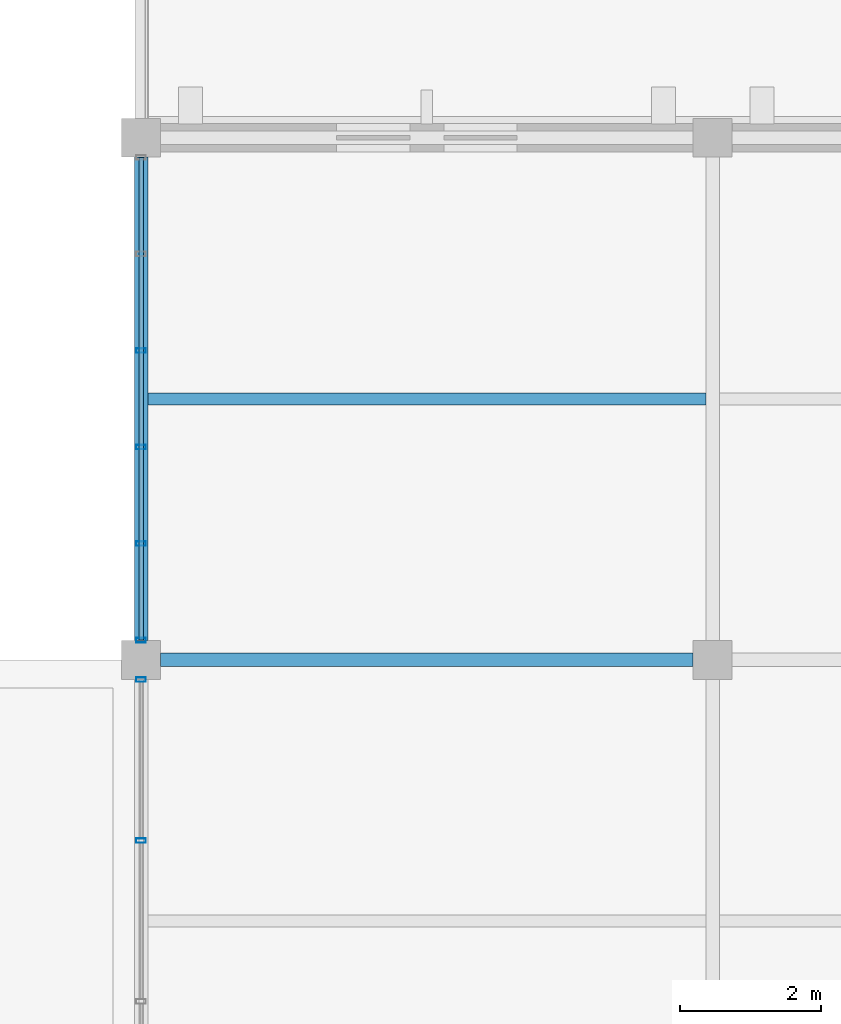
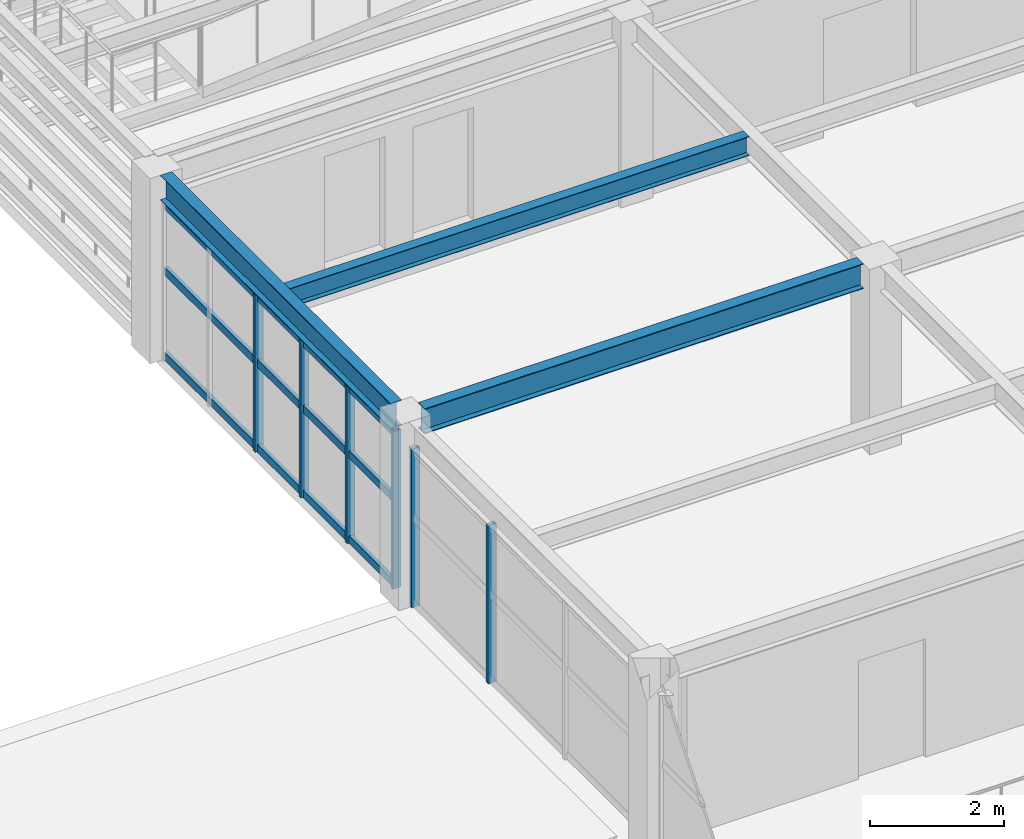
# One storey, part 85 of 121: 9 members, 3 beams, 2 elements without a shape of their own.
"""IFC4 building model written with IfcOpenShell, lengths in metres."""

from ifc_helpers import new_model, si_unit, direction, frame, origin, origin_2d, place, context, subcontext, project, spatial, hollow_rectangle, i_section, extrude, material, material_profile, profile_set, type_object, element, aggregate, save


model = new_model("IFC4")

# Units and contexts
model_context = context("Model", 3, precision=1e-05, world=origin(), true_north=direction((0.0, 1.0)))
body_context = subcontext(model_context, "Body", "Model", "MODEL_VIEW")
ifc_project = project(units=[si_unit("LENGTHUNIT", "METRE"), si_unit("AREAUNIT", "SQUARE_METRE"), si_unit("VOLUMEUNIT", "CUBIC_METRE"), si_unit("PLANEANGLEUNIT", "RADIAN"), si_unit("MASSUNIT", "GRAM", prefix="KILO")], contexts=[model_context])

# Site, building, storey
site_placement = place(None, origin())
site = spatial("IfcSite", under=ifc_project, at=site_placement, CompositionType="ELEMENT")
building_placement = place(site_placement, origin())
building = spatial("IfcBuilding", under=site, at=building_placement, Name="Cimatlan Art Gallery", CompositionType="ELEMENT")
storey_placement = place(building_placement, frame((0.0, 0.0, 10.199951171875)))
storey = spatial("IfcBuildingStorey", under=building, at=storey_placement, Name="L02", CompositionType="ELEMENT", Elevation=10.199951171875)

# Beams
ifc_material_1 = material(Name="Steel ASTM A992 Grade 50", Category="steel")
ifc_material_profile_1 = material_profile(ifc_material_1, i_section(OverallWidth=0.1708984375, OverallDepth=0.35107421875, WebThickness=0.0068359375, FlangeThickness=0.009765625, at=origin_2d()), Name="W14X30")
ifc_profile_set_1 = profile_set([ifc_material_profile_1], Name="Steel ASTM A992 Grade 50")
beam_type_1 = type_object("IfcBeamType", Name="BM-STL-W14X30", PredefinedType="JOIST", material=ifc_profile_set_1)
beam_1_placement = place(storey_placement, frame((147.8955078125, 64.60009765625, 3.194580078125), z_axis=(1.0, 0.0, 0.0), x_axis=(0.0, 1.0, 0.0)))
element("IfcBeam", 1, at=beam_1_placement, inside=storey, type_object=beam_type_1, Name="JST-L02-18-08", PredefinedType="JOIST", context=body_context, shape_type="SweptSolid", body=[
    extrude(i_section(OverallWidth=0.1708984375, OverallDepth=0.35107421875, WebThickness=0.0068359375, FlangeThickness=0.009765625, at=origin_2d()), origin(), (0.0, 0.0, 1.0), 7.908935546875),
])
ifc_material_profile_2 = material_profile(ifc_material_1, i_section(OverallWidth=0.19091796875, OverallDepth=0.45703125, WebThickness=0.009033203125, FlangeThickness=0.014404296875, at=origin_2d()), Name="W18X50")
ifc_profile_set_2 = profile_set([ifc_material_profile_2], Name="Steel ASTM A992 Grade 50")
beam_type_2 = type_object("IfcBeamType", Name="BM-STL-W18X50", PredefinedType="BEAM", material=ifc_profile_set_2)
beam_2_placement = place(storey_placement, frame((147.800048828125, 61.175048828125, 3.1416015625), z_axis=(0.0, 1.0, 0.0), x_axis=(-1.0, 0.0, 0.0)))
element("IfcBeam", 2, at=beam_2_placement, inside=storey, type_object=beam_type_2, Name="BM-Y-L02-18-08", PredefinedType="BEAM", context=body_context, shape_type="SweptSolid", body=[
    extrude(i_section(OverallWidth=0.19091796875, OverallDepth=0.45703125, WebThickness=0.009033203125, FlangeThickness=0.014404296875, at=origin_2d()), origin(), (0.0, 0.0, 1.0), 6.849853515625),
])
beam_3_placement = place(storey_placement, frame((148.074951171875, 60.89990234375, 3.1416015625), z_axis=(1.0, 0.0, 0.0), x_axis=(0.0, 1.0, 0.0)))
element("IfcBeam", 3, at=beam_3_placement, inside=storey, type_object=beam_type_2, Name="BM-X-L02-18-08", PredefinedType="BEAM", context=body_context, shape_type="SweptSolid", body=[
    extrude(i_section(OverallWidth=0.19091796875, OverallDepth=0.45703125, WebThickness=0.009033203125, FlangeThickness=0.014404296875, at=origin_2d()), origin(), (0.0, 0.0, 1.0), 7.550048828125),
])

# Curtain wall, members
ifc_material_2 = material(Name="Anodised bronze unitised curtain wall")
curtain_wall_type_1 = type_object("IfcCurtainWallType", Name="CW-V-06842X02883-B3", PredefinedType="NOTDEFINED", material=ifc_material_2)
curtain_wall_1_placement = place(storey_placement, origin())
curtain_wall_1 = element("IfcCurtainWall", 4, at=curtain_wall_1_placement, inside=storey, type_object=curtain_wall_type_1, Name="CW-L02-18-07-W", PredefinedType="NOTDEFINED")
ifc_material_3 = material(Name="Anodised bronze aluminium 6063-T6", Category="aluminium")
ifc_material_profile_3 = material_profile(ifc_material_3, hollow_rectangle(XDim=0.06494140625, YDim=0.139892578125, WallThickness=0.00390625, at=origin_2d()), Name="ALU65X140X4")
ifc_profile_set_3 = profile_set([ifc_material_profile_3], Name="Anodised bronze aluminium 6063-T6")
member_type_1 = type_object("IfcMemberType", Name="CW-MUL-140", PredefinedType="MULLION", material=ifc_profile_set_3)
member_1_placement = place(storey_placement, frame((147.800048828125, 58.34033203125, 0.0), z_axis=(0.0, 0.0, 1.0), x_axis=(0.0, 1.0, 0.0)))
member_1 = element("IfcMember", 5, at=member_1_placement, type_object=member_type_1, Name="CW-L02-18-07-W-M3", PredefinedType="MULLION", context=body_context, shape_type="SweptSolid", body=[
    extrude(hollow_rectangle(XDim=0.06494140625, YDim=0.139892578125, WallThickness=0.00390625, at=origin_2d()), origin(), (0.0, 0.0, 1.0), 2.883056640625),
])
member_2_placement = place(storey_placement, frame((147.800048828125, 60.62109375, 0.0), z_axis=(0.0, 0.0, 1.0), x_axis=(0.0, 1.0, 0.0)))
member_2 = element("IfcMember", 6, at=member_2_placement, type_object=member_type_1, Name="CW-L02-18-07-W-M4", PredefinedType="MULLION", context=body_context, shape_type="SweptSolid", body=[
    extrude(hollow_rectangle(XDim=0.06494140625, YDim=0.139892578125, WallThickness=0.00390625, at=origin_2d()), origin(), (0.0, 0.0, 1.0), 2.883056640625),
])
aggregate(curtain_wall_1, [member_1, member_2])

curtain_wall_type_2 = type_object("IfcCurtainWallType", Name="CW-V-06842X02868-B5", PredefinedType="NOTDEFINED", material=ifc_material_2)
curtain_wall_2_placement = place(storey_placement, origin())
curtain_wall_2 = element("IfcCurtainWall", 7, at=curtain_wall_2_placement, inside=storey, type_object=curtain_wall_type_2, Name="CW-L02-18-08-W", PredefinedType="NOTDEFINED")
member_3_placement = place(storey_placement, frame((147.800048828125, 61.178955078125, 0.0), z_axis=(0.0, 0.0, 1.0), x_axis=(0.0, 1.0, 0.0)))
member_3 = element("IfcMember", 8, at=member_3_placement, type_object=member_type_1, Name="CW-L02-18-08-W-M1", PredefinedType="MULLION", context=body_context, shape_type="SweptSolid", body=[
    extrude(hollow_rectangle(XDim=0.06494140625, YDim=0.139892578125, WallThickness=0.00390625, at=origin_2d()), origin(), (0.0, 0.0, 1.0), 2.8681640625),
])
member_4_placement = place(storey_placement, frame((147.800048828125, 62.54736328125, 0.0), z_axis=(0.0, 0.0, 1.0), x_axis=(0.0, 1.0, 0.0)))
member_4 = element("IfcMember", 9, at=member_4_placement, type_object=member_type_1, Name="CW-L02-18-08-W-M2", PredefinedType="MULLION", context=body_context, shape_type="SweptSolid", body=[
    extrude(hollow_rectangle(XDim=0.06494140625, YDim=0.139892578125, WallThickness=0.00390625, at=origin_2d()), origin(), (0.0, 0.0, 1.0), 2.8681640625),
])
member_5_placement = place(storey_placement, frame((147.800048828125, 63.915771484375, 0.0), z_axis=(0.0, 0.0, 1.0), x_axis=(0.0, 1.0, 0.0)))
member_5 = element("IfcMember", 10, at=member_5_placement, type_object=member_type_1, Name="CW-L02-18-08-W-M3", PredefinedType="MULLION", context=body_context, shape_type="SweptSolid", body=[
    extrude(hollow_rectangle(XDim=0.06494140625, YDim=0.139892578125, WallThickness=0.00390625, at=origin_2d()), origin(), (0.0, 0.0, 1.0), 2.8681640625),
])
member_6_placement = place(storey_placement, frame((147.800048828125, 65.2841796875, 0.0), z_axis=(0.0, 0.0, 1.0), x_axis=(0.0, 1.0, 0.0)))
member_6 = element("IfcMember", 11, at=member_6_placement, type_object=member_type_1, Name="CW-L02-18-08-W-M4", PredefinedType="MULLION", context=body_context, shape_type="SweptSolid", body=[
    extrude(hollow_rectangle(XDim=0.06494140625, YDim=0.139892578125, WallThickness=0.00390625, at=origin_2d()), origin(), (0.0, 0.0, 1.0), 2.8681640625),
])
ifc_material_profile_4 = material_profile(ifc_material_3, hollow_rectangle(XDim=0.06494140625, YDim=0.139892578125, WallThickness=0.00390625, at=origin_2d()), Name="ALU65X140X4")
ifc_profile_set_4 = profile_set([ifc_material_profile_4], Name="Anodised bronze aluminium 6063-T6")
member_type_2 = type_object("IfcMemberType", Name="CW-TRN-140", PredefinedType="USERDEFINED", material=ifc_profile_set_4)
member_7_placement = place(storey_placement, frame((147.800048828125, 61.178955078125, 0.06005859375), z_axis=(0.0, 1.0, 0.0), x_axis=(-1.0, 0.0, 0.0)))
member_7 = element("IfcMember", 12, at=member_7_placement, type_object=member_type_2, Name="CW-L02-18-08-W-T1", ObjectType="TRANSOM", PredefinedType="USERDEFINED", context=body_context, shape_type="SweptSolid", body=[
    extrude(hollow_rectangle(XDim=0.06494140625, YDim=0.139892578125, WallThickness=0.00390625, at=origin_2d()), origin(), (0.0, 0.0, 1.0), 6.842041015625),
])
member_8_placement = place(storey_placement, frame((147.800048828125, 61.178955078125, 1.606201171875), z_axis=(0.0, 1.0, 0.0), x_axis=(-1.0, 0.0, 0.0)))
member_8 = element("IfcMember", 13, at=member_8_placement, type_object=member_type_2, Name="CW-L02-18-08-W-T2", ObjectType="TRANSOM", PredefinedType="USERDEFINED", context=body_context, shape_type="SweptSolid", body=[
    extrude(hollow_rectangle(XDim=0.06494140625, YDim=0.139892578125, WallThickness=0.00390625, at=origin_2d()), origin(), (0.0, 0.0, 1.0), 6.842041015625),
])
member_9_placement = place(storey_placement, frame((147.800048828125, 61.178955078125, 2.80810546875), z_axis=(0.0, 1.0, 0.0), x_axis=(-1.0, 0.0, 0.0)))
member_9 = element("IfcMember", 14, at=member_9_placement, type_object=member_type_2, Name="CW-L02-18-08-W-T3", ObjectType="TRANSOM", PredefinedType="USERDEFINED", context=body_context, shape_type="SweptSolid", body=[
    extrude(hollow_rectangle(XDim=0.06494140625, YDim=0.139892578125, WallThickness=0.00390625, at=origin_2d()), origin(), (0.0, 0.0, 1.0), 6.842041015625),
])
aggregate(curtain_wall_2, [member_3, member_4, member_5, member_6, member_7, member_8, member_9])

save(model, "model.ifc")
